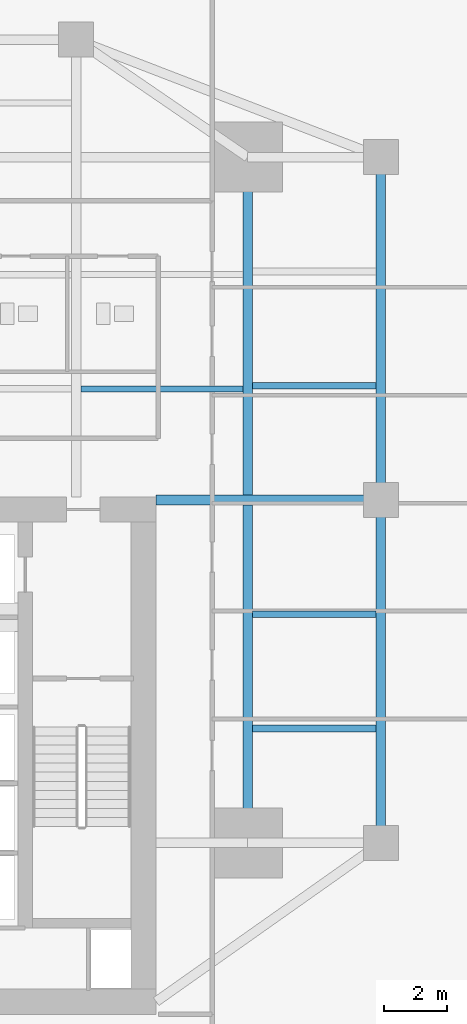
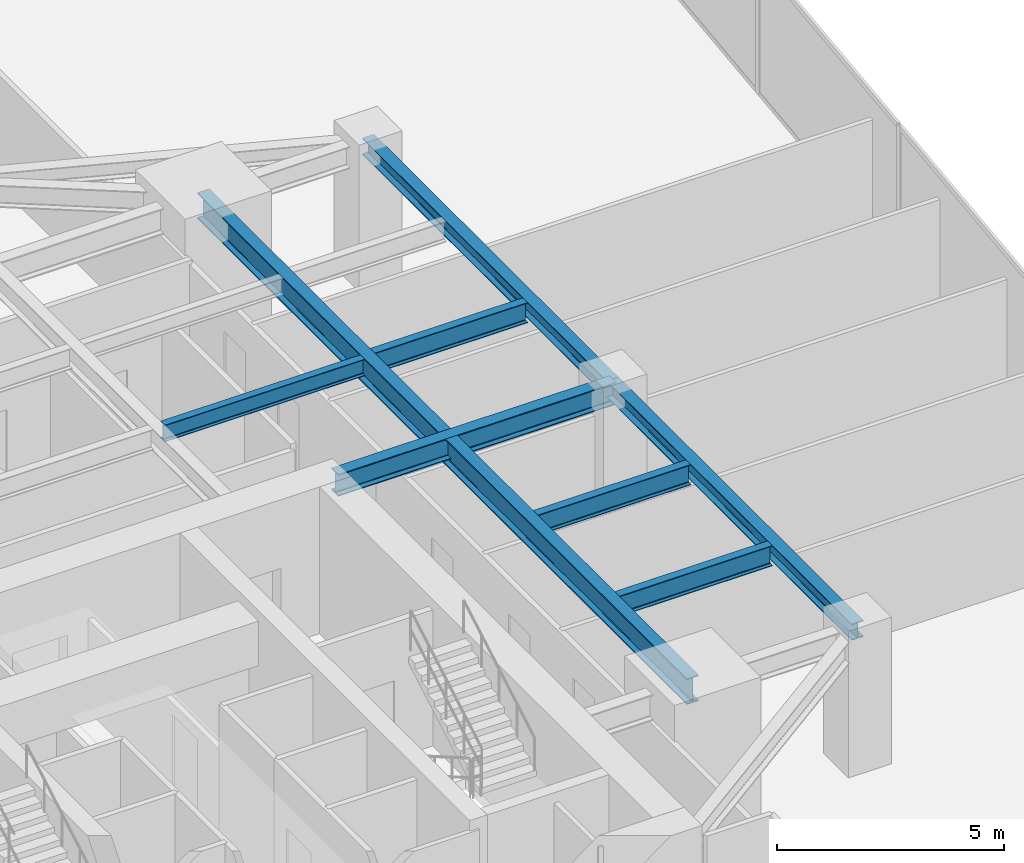
# One storey, part 15 of 30: 8 beams.
"""IFC4 building model written with IfcOpenShell, lengths in metres."""

from ifc_helpers import new_model, si_unit, direction, frame, origin, origin_2d, place, context, subcontext, project, spatial, i_section, extrude, source, transform, mapped, material, material_profile, profile_set, type_object, type_shapes, element, save


model = new_model("IFC4")

# Units and contexts
model_context = context("Model", 3, precision=1e-05, world=origin(), true_north=direction((0.0, 1.0)))
body_context = subcontext(model_context, "Body", "Model", "MODEL_VIEW")
ifc_project = project(units=[si_unit("LENGTHUNIT", "METRE"), si_unit("AREAUNIT", "SQUARE_METRE"), si_unit("VOLUMEUNIT", "CUBIC_METRE"), si_unit("PLANEANGLEUNIT", "RADIAN"), si_unit("MASSUNIT", "GRAM", prefix="KILO")], contexts=[model_context])

# Site, building, storey
site_placement = place(None, origin())
site = spatial("IfcSite", under=ifc_project, at=site_placement, CompositionType="ELEMENT")
building_placement = place(site_placement, origin())
building = spatial("IfcBuilding", under=site, at=building_placement, Name="Krantzveldt Concourse Tower", CompositionType="ELEMENT")
storey_placement = place(building_placement, frame((0.0, 0.0, 48.699951171875)))
storey = spatial("IfcBuildingStorey", under=building, at=storey_placement, Name="L11", CompositionType="ELEMENT", Elevation=48.699951171875)

# Beams
ifc_material_1 = material(Name="Steel S355J2", Category="steel")
ifc_material_profile_1 = material_profile(ifc_material_1, i_section(OverallWidth=0.300048828125, OverallDepth=0.699951171875, WebThickness=0.01708984375, FlangeThickness=0.031982421875, FilletRadius=0.027099609375, at=origin_2d()), Name="Steel S355J2", Category="steel")
ifc_profile_set_1 = profile_set([ifc_material_profile_1], Name="Steel S355J2 - HEB 700")
beam_type_1 = type_object("IfcBeamType", Name="BM-B-HEB700", PredefinedType="BEAM", material=ifc_profile_set_1)
shared_shape_1 = source(origin(), body_context, "Body", "SweptSolid", [
    extrude(i_section(OverallWidth=0.300048828125, OverallDepth=0.699951171875, WebThickness=0.01708984375, FlangeThickness=0.031982421875, FilletRadius=0.027099609375, at=origin_2d()), origin(), (0.0, 0.0, 1.0), 21.60009765625),
])
type_shapes(beam_type_1, [shared_shape_1])
beam_1_placement = place(storey_placement, frame((46.800048828125, 15.89990234375, 3.320068359375), z_axis=(0.0, 1.0, 0.0), x_axis=(-1.0, 0.0, 0.0)))
element("IfcBeam", 1, at=beam_1_placement, inside=storey, type_object=beam_type_1, Name="L11 Tower Girder BG-ME", PredefinedType="BEAM", context=body_context, shape_type="MappedRepresentation", body=[
    mapped(shared_shape_1, transform((0.0, 0.0, 0.0), x_axis=(1.0, 0.0, 0.0), y_axis=(0.0, 1.0, 0.0), z_axis=(0.0, 0.0, 1.0), scale=1.0)),
])
ifc_material_2 = material(Name="Steel S355JR", Category="steel")
ifc_material_profile_2 = material_profile(ifc_material_2, i_section(OverallWidth=0.300048828125, OverallDepth=0.590087890625, WebThickness=0.012939453125, FlangeThickness=0.02490234375, FilletRadius=0.027099609375, at=origin_2d()), Name="Steel S355JR", Category="steel")
ifc_profile_set_2 = profile_set([ifc_material_profile_2], Name="Steel S355JR - HEA 600")
beam_type_2 = type_object("IfcBeamType", Name="BM-B-HEA600", PredefinedType="BEAM", material=ifc_profile_set_2)
shared_shape_2 = source(origin(), body_context, "Body", "SweptSolid", [
    extrude(i_section(OverallWidth=0.300048828125, OverallDepth=0.590087890625, WebThickness=0.012939453125, FlangeThickness=0.02490234375, FilletRadius=0.027099609375, at=origin_2d()), origin(), (0.0, 0.0, 1.0), 7.080078125),
])
type_shapes(beam_type_2, [shared_shape_2])
beam_2_placement = place(storey_placement, frame((43.919921875, 26.699951171875, 3.375), z_axis=(1.0, 0.0, 0.0), x_axis=(0.0, 1.0, 0.0)))
element("IfcBeam", 2, at=beam_2_placement, inside=storey, type_object=beam_type_2, Name="L11 Tower Girder BG-CE2", PredefinedType="BEAM", context=body_context, shape_type="MappedRepresentation", body=[
    mapped(shared_shape_2, transform((0.0, 0.0, 0.0), x_axis=(1.0, 0.0, 0.0), y_axis=(0.0, 1.0, 0.0), z_axis=(0.0, 0.0, 1.0), scale=1.0)),
])
ifc_material_profile_3 = material_profile(ifc_material_2, i_section(OverallWidth=0.300048828125, OverallDepth=0.43994140625, WebThickness=0.011474609375, FlangeThickness=0.02099609375, FilletRadius=0.027099609375, at=origin_2d()), Name="Steel S355JR", Category="steel")
ifc_profile_set_3 = profile_set([ifc_material_profile_3], Name="Steel S355JR - HEA 450")
beam_type_3 = type_object("IfcBeamType", Name="BM-SP-HEA450", PredefinedType="SPANDREL", material=ifc_profile_set_3)
shared_shape_3 = source(origin(), body_context, "Body", "SweptSolid", [
    extrude(i_section(OverallWidth=0.300048828125, OverallDepth=0.43994140625, WebThickness=0.011474609375, FlangeThickness=0.02099609375, FilletRadius=0.027099609375, at=origin_2d()), origin(), (0.0, 0.0, 1.0), 10.800048828125),
])
type_shapes(beam_type_3, [shared_shape_3])
for number, where, z_axis, x_axis, name in (
    (3, (51.0, 37.5, 3.449951171875), (0.0, -1.0, 0.0), (1.0, 0.0, 0.0), "L11 Tower Girder SP-R06"),
    (4, (51.0, 26.699951171875, 3.449951171875), (0.0, -1.0, 0.0), (1.0, 0.0, 0.0), "L11 Tower Girder SP-R07"),
):
    element("IfcBeam", number, at=place(storey_placement, frame(where, z_axis=z_axis, x_axis=x_axis)), inside=storey, type_object=beam_type_3, Name=name, PredefinedType="SPANDREL", context=body_context, shape_type="MappedRepresentation", body=[
        mapped(shared_shape_3, transform((0.0, 0.0, 0.0), x_axis=(1.0, 0.0, 0.0), y_axis=(0.0, 1.0, 0.0), z_axis=(0.0, 0.0, 1.0), scale=1.0)),
    ])
ifc_material_profile_4 = material_profile(ifc_material_2, i_section(OverallWidth=0.18994140625, OverallDepth=0.449951171875, WebThickness=0.009521484375, FlangeThickness=0.0146484375, FilletRadius=0.02099609375, at=origin_2d()), Name="Steel S355JR", Category="steel")
ifc_profile_set_4 = profile_set([ifc_material_profile_4], Name="Steel S355JR - IPE 450")
beam_type_4 = type_object("IfcBeamType", Name="BM-J-IPE450", PredefinedType="JOIST", material=ifc_profile_set_4)
shared_shape_4 = source(origin(), body_context, "Body", "SweptSolid", [
    extrude(i_section(OverallWidth=0.18994140625, OverallDepth=0.449951171875, WebThickness=0.009521484375, FlangeThickness=0.0146484375, FilletRadius=0.02099609375, at=origin_2d()), origin(), (0.0, 0.0, 1.0), 5.099853515625),
])
type_shapes(beam_type_4, [shared_shape_4])
beam_3_placement = place(storey_placement, frame((41.550048828125, 30.199951171875, 3.445068359375), z_axis=(1.0, 0.0, 0.0), x_axis=(0.0, 1.0, 0.0)))
element("IfcBeam", 5, at=beam_3_placement, inside=storey, type_object=beam_type_4, Name="L11 Secondary Floor Joist JN-E1", PredefinedType="JOIST", context=body_context, shape_type="MappedRepresentation", body=[
    mapped(shared_shape_4, transform((0.0, 0.0, 0.0), x_axis=(1.0, 0.0, 0.0), y_axis=(0.0, 1.0, 0.0), z_axis=(0.0, 0.0, 1.0), scale=1.0)),
])
ifc_material_profile_5 = material_profile(ifc_material_2, i_section(OverallWidth=0.2099609375, OverallDepth=0.550048828125, WebThickness=0.010986328125, FlangeThickness=0.01708984375, FilletRadius=0.02392578125, at=origin_2d()), Name="Steel S355JR", Category="steel")
ifc_profile_set_5 = profile_set([ifc_material_profile_5], Name="Steel S355JR - IPE 550")
beam_type_5 = type_object("IfcBeamType", Name="BM-J-IPE550", PredefinedType="JOIST", material=ifc_profile_set_5)
shared_shape_5 = source(origin(), body_context, "Body", "SweptSolid", [
    extrude(i_section(OverallWidth=0.2099609375, OverallDepth=0.550048828125, WebThickness=0.010986328125, FlangeThickness=0.01708984375, FilletRadius=0.02392578125, at=origin_2d()), origin(), (0.0, 0.0, 1.0), 3.900146484375),
])
type_shapes(beam_type_5, [shared_shape_5])
for number, where, z_axis, x_axis, name in (
    (6, (46.949951171875, 19.5, 3.39501953125), (1.0, 0.0, 0.0), (0.0, 1.0, 0.0), "L11 Secondary Floor Joist JE-1"),
    (7, (46.949951171875, 23.10009765625, 3.39501953125), (1.0, 0.0, 0.0), (0.0, 1.0, 0.0), "L11 Secondary Floor Joist JE-2"),
    (8, (46.949951171875, 30.300048828125, 3.39501953125), (1.0, 0.0, 0.0), (0.0, 1.0, 0.0), "L11 Secondary Floor Joist JE-3"),
):
    element("IfcBeam", number, at=place(storey_placement, frame(where, z_axis=z_axis, x_axis=x_axis)), inside=storey, type_object=beam_type_5, Name=name, PredefinedType="JOIST", context=body_context, shape_type="MappedRepresentation", body=[
        mapped(shared_shape_5, transform((0.0, 0.0, 0.0), x_axis=(1.0, 0.0, 0.0), y_axis=(0.0, 1.0, 0.0), z_axis=(0.0, 0.0, 1.0), scale=1.0)),
    ])

save(model, "model.ifc")
